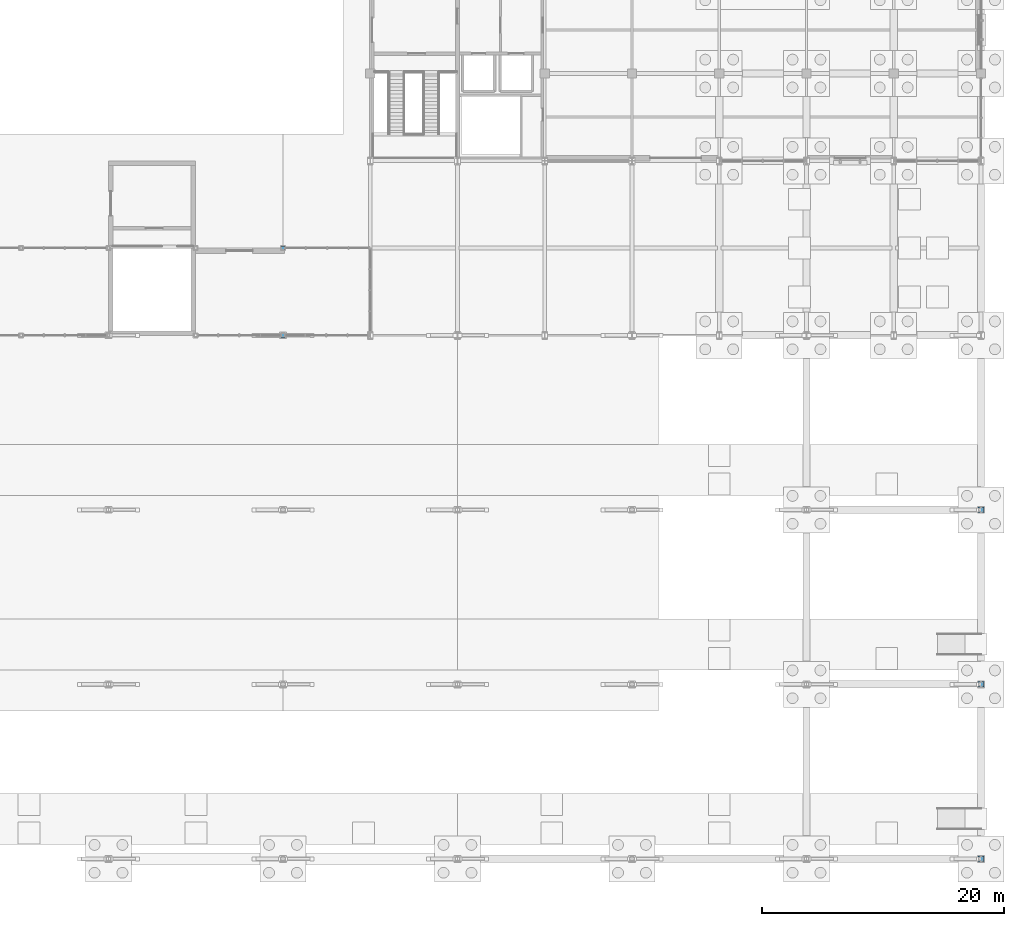
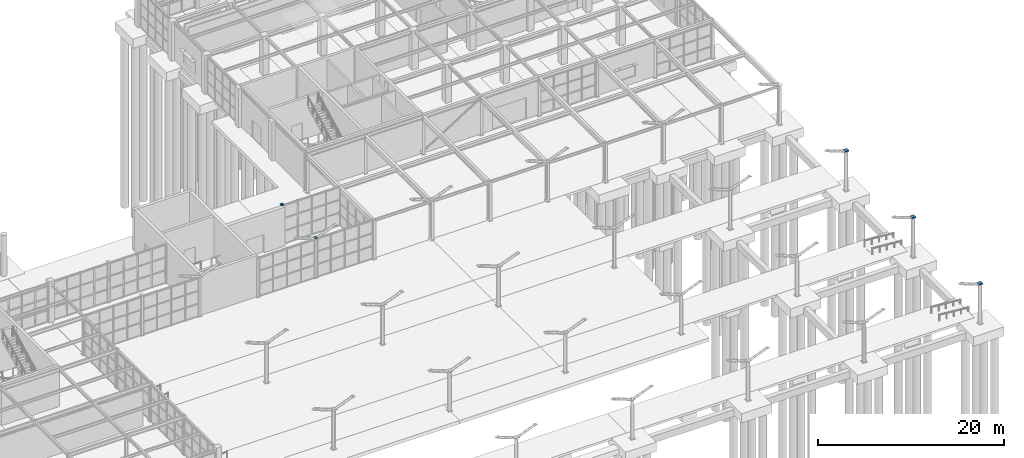
# One storey, part 68 of 75: 5 discrete accessories.
"""IFC4 building model written with IfcOpenShell, lengths in metres."""

from ifc_helpers import new_model, si_unit, direction, frame, origin, place, context, subcontext, project, spatial, polyline, outline, extrude, material, type_object, element, save


model = new_model("IFC4")

# Units and contexts
model_context = context("Model", 3, precision=1e-05, world=origin(), true_north=direction((0.0, 1.0)))
body_context = subcontext(model_context, "Body", "Model", "MODEL_VIEW")
ifc_project = project(units=[si_unit("LENGTHUNIT", "METRE"), si_unit("AREAUNIT", "SQUARE_METRE"), si_unit("VOLUMEUNIT", "CUBIC_METRE"), si_unit("PLANEANGLEUNIT", "RADIAN"), si_unit("MASSUNIT", "GRAM", prefix="KILO")], contexts=[model_context])

# Site, building, storey
site_placement = place(None, origin())
site = spatial("IfcSite", under=ifc_project, at=site_placement, CompositionType="ELEMENT")
building_placement = place(site_placement, origin())
building = spatial("IfcBuilding", under=site, at=building_placement, Name="Leyfeld Transit Interchange", CompositionType="ELEMENT")
storey_placement = place(building_placement, origin())
storey = spatial("IfcBuildingStorey", under=building, at=storey_placement, Name="L00", CompositionType="ELEMENT", Elevation=0.0)

# Discrete accessories
ifc_material = material(Name="Steel S355J2", Category="steel")
discrete_accessory_type = type_object("IfcDiscreteAccessoryType", Name="ACC-BRK-PUR", PredefinedType="BRACKET", material=ifc_material)
discrete_accessory_1_placement = place(storey_placement, frame((0.0, 0.0, 5.14990234375)))
element("IfcDiscreteAccessory", 1, at=discrete_accessory_1_placement, inside=storey, type_object=discrete_accessory_type, Name="Welded Hollow Column Top Cap Plate 03", PredefinedType="BRACKET", context=body_context, shape_type="SweptSolid", body=[
    extrude(outline(polyline([(129.43994140625, 43.0400390625), (129.760009765625, 43.0400390625), (129.760009765625, 43.360107421875), (129.43994140625, 43.360107421875), (129.43994140625, 43.0400390625)])), origin(), (0.0, 0.0, 1.0), 0.130126953125),
])
discrete_accessory_2_placement = place(storey_placement, frame((0.0, 0.0, 5.14990234375)))
element("IfcDiscreteAccessory", 2, at=discrete_accessory_2_placement, inside=storey, type_object=discrete_accessory_type, Name="Welded Hollow Column Top Cap Plate 04", PredefinedType="BRACKET", context=body_context, shape_type="SweptSolid", body=[
    extrude(outline(polyline([(129.43994140625, 50.239990234375), (129.760009765625, 50.239990234375), (129.760009765625, 50.56005859375), (129.43994140625, 50.56005859375), (129.43994140625, 50.239990234375)])), origin(), (0.0, 0.0, 1.0), 0.130126953125),
])
discrete_accessory_3_placement = place(storey_placement, frame((0.0, 0.0, 5.18994140625)))
element("IfcDiscreteAccessory", 3, at=discrete_accessory_3_placement, inside=storey, type_object=discrete_accessory_type, Name="Welded Hollow Column Top Cap Plate 05", PredefinedType="BRACKET", context=body_context, shape_type="SweptSolid", body=[
    extrude(outline(polyline([(186.9599609375, -0.239990234375), (187.43994140625, -0.239990234375), (187.43994140625, 0.239990234375), (186.9599609375, 0.239990234375), (186.9599609375, -0.239990234375)])), origin(), (0.0, 0.0, 1.0), 0.130126953125),
])
discrete_accessory_4_placement = place(storey_placement, frame((0.0, 0.0, 5.18994140625)))
element("IfcDiscreteAccessory", 4, at=discrete_accessory_4_placement, inside=storey, type_object=discrete_accessory_type, Name="Welded Hollow Column Top Cap Plate 06", PredefinedType="BRACKET", context=body_context, shape_type="SweptSolid", body=[
    extrude(outline(polyline([(186.9599609375, 14.159912109375), (187.43994140625, 14.159912109375), (187.43994140625, 14.639892578125), (186.9599609375, 14.639892578125), (186.9599609375, 14.159912109375)])), origin(), (0.0, 0.0, 1.0), 0.130126953125),
])
discrete_accessory_5_placement = place(storey_placement, frame((0.0, 0.0, 5.18994140625)))
element("IfcDiscreteAccessory", 5, at=discrete_accessory_5_placement, inside=storey, type_object=discrete_accessory_type, Name="Welded Hollow Column Top Cap Plate 07", PredefinedType="BRACKET", context=body_context, shape_type="SweptSolid", body=[
    extrude(outline(polyline([(186.9599609375, 28.56005859375), (187.43994140625, 28.56005859375), (187.43994140625, 29.0400390625), (186.9599609375, 29.0400390625), (186.9599609375, 28.56005859375)])), origin(), (0.0, 0.0, 1.0), 0.130126953125),
])

save(model, "model.ifc")
